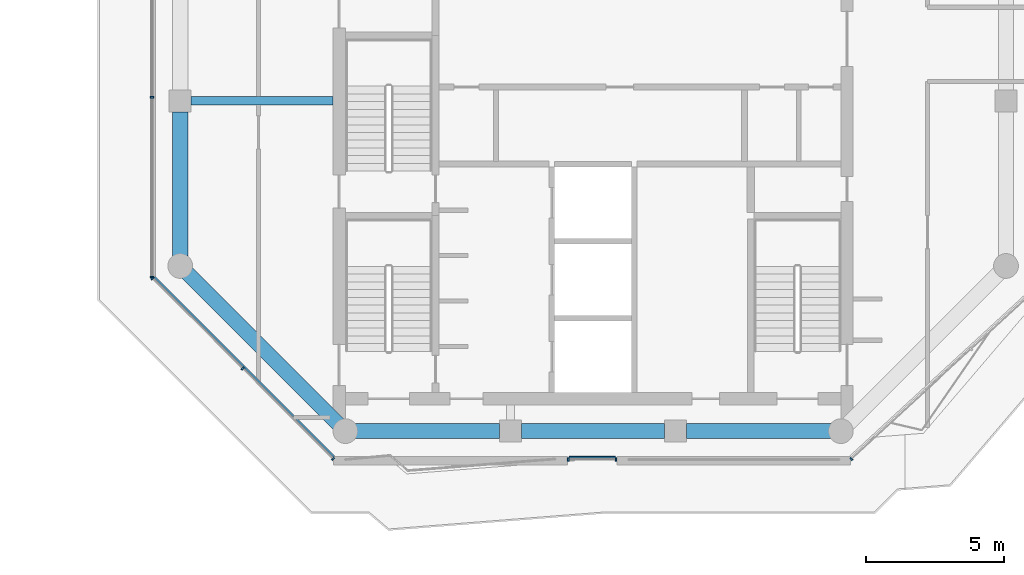
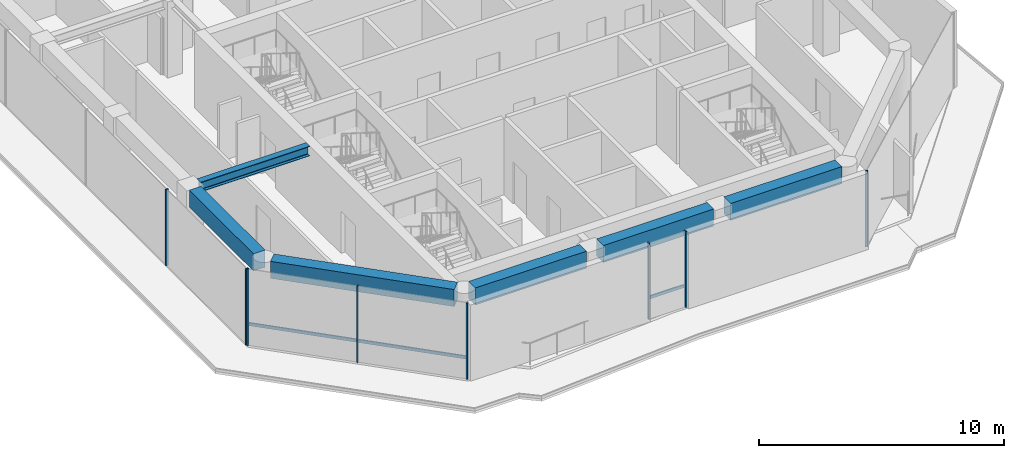
# One storey, part 2 of 23: 10 members, 6 beams, 4 elements without a shape of their own.
"""IFC4 building model written with IfcOpenShell, lengths in metres."""

from ifc_helpers import new_model, si_unit, direction, frame, origin, origin_2d, place, context, subcontext, project, spatial, rectangle, i_section, extrude, material, layer, layer_set, material_profile, profile_set, type_object, element, aggregate, save


model = new_model("IFC4")

# Units and contexts
model_context = context("Model", 3, precision=1e-05, world=origin(), true_north=direction((0.0, 1.0)))
body_context = subcontext(model_context, "Body", "Model", "MODEL_VIEW")
ifc_project = project(units=[si_unit("LENGTHUNIT", "METRE"), si_unit("AREAUNIT", "SQUARE_METRE"), si_unit("VOLUMEUNIT", "CUBIC_METRE"), si_unit("PLANEANGLEUNIT", "RADIAN"), si_unit("MASSUNIT", "GRAM", prefix="KILO")], contexts=[model_context])

# Site, building, storey
site_placement = place(None, origin())
site = spatial("IfcSite", under=ifc_project, at=site_placement, CompositionType="ELEMENT")
building_placement = place(site_placement, origin())
building = spatial("IfcBuilding", under=site, at=building_placement, Name="Welwitschia Terrace Campus", CompositionType="ELEMENT")
storey_placement = place(building_placement, frame((0.0, 0.0, 209.60009765625)))
storey = spatial("IfcBuildingStorey", under=building, at=storey_placement, Name="L46", CompositionType="ELEMENT", Elevation=209.60009765625)

# Curtain wall, members
ifc_material_1 = material(Name="Bronze anodised aluminium", Category="aluminium")
ifc_layer = layer(ifc_material_1, 0.1201171875)
ifc_layer_set = layer_set([ifc_layer], Name="Bronze anodised aluminium")
curtain_wall_type = type_object("IfcCurtainWallType", Name="Curtain wall CW2 tower 6000", PredefinedType="NOTDEFINED", material=ifc_layer_set)
curtain_wall_1_placement = place(storey_placement, origin())
curtain_wall_1 = element("IfcCurtainWall", 1, at=curtain_wall_1_placement, inside=storey, type_object=curtain_wall_type, Name="CW L46.0.0", PredefinedType="NOTDEFINED")
ifc_material_2 = material(Name="Bronze anodised aluminium", Category="aluminium")
ifc_material_profile_1 = material_profile(ifc_material_2, rectangle(XDim=0.1201171875, YDim=0.06005859375, at=origin_2d()))
ifc_profile_set_1 = profile_set([ifc_material_profile_1], Name="Bronze anodised aluminium")
member_type_1 = type_object("IfcMemberType", Name="Mullion 60x120", PredefinedType="MULLION", material=ifc_profile_set_1)
member_1_placement = place(storey_placement, frame((-1.030029296875, 16.129638671875, 0.0), z_axis=(0.0, 0.0, 1.0), x_axis=(1.0, 0.0, 0.0)))
member_1 = element("IfcMember", 2, at=member_1_placement, type_object=member_type_1, Name="Mullion L46.0.0.3", PredefinedType="MULLION", context=body_context, shape_type="SweptSolid", body=[
    extrude(rectangle(XDim=0.1201171875, YDim=0.06005859375, at=origin_2d()), origin(), (0.0, 0.0, 1.0), 3.7998046875),
])
member_2_placement = place(storey_placement, frame((-1.030029296875, 9.603271484375, 0.0), z_axis=(0.0, 0.0, 1.0), x_axis=(1.0, 0.0, 0.0)))
member_2 = element("IfcMember", 3, at=member_2_placement, type_object=member_type_1, Name="Mullion L46.0.0.4", PredefinedType="MULLION", context=body_context, shape_type="SweptSolid", body=[
    extrude(rectangle(XDim=0.1201171875, YDim=0.06005859375, at=origin_2d()), origin(), (0.0, 0.0, 1.0), 3.7998046875),
])
aggregate(curtain_wall_1, [member_1, member_2])

curtain_wall_2_placement = place(storey_placement, origin())
curtain_wall_2 = element("IfcCurtainWall", 4, at=curtain_wall_2_placement, inside=storey, type_object=curtain_wall_type, Name="CW L46.1.0", PredefinedType="NOTDEFINED")
member_3_placement = place(storey_placement, frame((-1.0087890625, 9.55224609375, 0.0), z_axis=(0.0, 0.0, 1.0), x_axis=(0.707106781187, 0.707106781187, 0.0)))
member_3 = element("IfcMember", 5, at=member_3_placement, type_object=member_type_1, Name="Mullion L46.1.0.0", PredefinedType="MULLION", context=body_context, shape_type="SweptSolid", body=[
    extrude(rectangle(XDim=0.1201171875, YDim=0.06005859375, at=origin_2d()), origin(), (0.0, 0.0, 1.0), 3.7998046875),
])
member_4_placement = place(storey_placement, frame((2.271728515625, 6.271728515625, 0.0), z_axis=(0.0, 0.0, 1.0), x_axis=(0.707106781187, 0.707106781187, 0.0)))
member_4 = element("IfcMember", 6, at=member_4_placement, type_object=member_type_1, Name="Mullion L46.1.0.1", PredefinedType="MULLION", context=body_context, shape_type="SweptSolid", body=[
    extrude(rectangle(XDim=0.1201171875, YDim=0.06005859375, at=origin_2d()), origin(), (0.0, 0.0, 1.0), 3.7998046875),
])
member_5_placement = place(storey_placement, frame((5.55224609375, 2.9912109375, 0.0), z_axis=(0.0, 0.0, 1.0), x_axis=(0.707106781187, 0.707106781187, 0.0)))
member_5 = element("IfcMember", 7, at=member_5_placement, type_object=member_type_1, Name="Mullion L46.1.0.2", PredefinedType="MULLION", context=body_context, shape_type="SweptSolid", body=[
    extrude(rectangle(XDim=0.1201171875, YDim=0.06005859375, at=origin_2d()), origin(), (0.0, 0.0, 1.0), 3.7998046875),
])

curtain_wall_3_placement = place(storey_placement, origin())
curtain_wall_3 = element("IfcCurtainWall", 8, at=curtain_wall_3_placement, inside=storey, type_object=curtain_wall_type, Name="CW L46.2.S0", PredefinedType="NOTDEFINED")
member_6_placement = place(storey_placement, frame((14.095947265625, 2.969970703125, 0.0), z_axis=(0.0, 0.0, 1.0), x_axis=(0.0, 1.0, 0.0)))
member_6 = element("IfcMember", 9, at=member_6_placement, type_object=member_type_1, Name="Mullion L46.2.S0.0", PredefinedType="MULLION", context=body_context, shape_type="SweptSolid", body=[
    extrude(rectangle(XDim=0.1201171875, YDim=0.06005859375, at=origin_2d()), origin(), (0.0, 0.0, 1.0), 3.7998046875),
])
member_7_placement = place(storey_placement, frame((15.8359375, 2.969970703125, 0.0), z_axis=(0.0, 0.0, 1.0), x_axis=(0.0, 1.0, 0.0)))
member_7 = element("IfcMember", 10, at=member_7_placement, type_object=member_type_1, Name="Mullion L46.2.S0.1", PredefinedType="MULLION", context=body_context, shape_type="SweptSolid", body=[
    extrude(rectangle(XDim=0.1201171875, YDim=0.06005859375, at=origin_2d()), origin(), (0.0, 0.0, 1.0), 3.7998046875),
])

# Curtain wall, member
curtain_wall_4_placement = place(storey_placement, origin())
curtain_wall_4 = element("IfcCurtainWall", 11, at=curtain_wall_4_placement, inside=storey, type_object=curtain_wall_type, Name="CW L46.3.0", PredefinedType="NOTDEFINED")
member_8_placement = place(storey_placement, frame((24.380859375, 2.990234375, 0.0), z_axis=(0.0, 0.0, 1.0), x_axis=(-0.677034390902, 0.735951379872, 0.0)))
member_8 = element("IfcMember", 12, at=member_8_placement, type_object=member_type_1, Name="Mullion L46.3.0.0", PredefinedType="MULLION", context=body_context, shape_type="SweptSolid", body=[
    extrude(rectangle(XDim=0.1201171875, YDim=0.06005859375, at=origin_2d()), origin(), (0.0, 0.0, 1.0), 3.7998046875),
])
aggregate(curtain_wall_4, [member_8])

# Beams
ifc_material_3 = material(Name="Steel S355", Category="steel")
ifc_material_profile_2 = material_profile(ifc_material_3, i_section(OverallWidth=0.300048828125, OverallDepth=0.489990234375, WebThickness=0.011962890625, FlangeThickness=0.02294921875, FilletRadius=0.027099609375, at=origin_2d()))
ifc_profile_set_2 = profile_set([ifc_material_profile_2], Name="Steel S355")
beam_type_1 = type_object("IfcBeamType", Name="Primary beam HE 500 A", PredefinedType="BEAM", material=ifc_profile_set_2)
beam_1_placement = place(storey_placement, frame((0.400390625, 16.0, 3.554931640625), z_axis=(1.0, 0.0, 0.0), x_axis=(0.0, 1.0, 0.0)))
element("IfcBeam", 13, at=beam_1_placement, inside=storey, type_object=beam_type_1, Name="Primary beam PB5", PredefinedType="BEAM", context=body_context, shape_type="SweptSolid", body=[
    extrude(i_section(OverallWidth=0.300048828125, OverallDepth=0.489990234375, WebThickness=0.011962890625, FlangeThickness=0.02294921875, FilletRadius=0.027099609375, at=origin_2d()), origin(), (0.0, 0.0, 1.0), 5.149658203125),
])
ifc_material_4 = material(Name="Concrete C50/60", Category="concrete")
ifc_material_profile_3 = material_profile(ifc_material_4, rectangle(XDim=0.550048828125, YDim=0.85009765625, at=origin_2d()))
ifc_profile_set_3 = profile_set([ifc_material_profile_3], Name="Concrete C50/60")
beam_type_2 = type_object("IfcBeamType", Name="Ring spandrel 550x850", PredefinedType="SPANDREL", material=ifc_profile_set_3)
beam_2_placement = place(storey_placement, frame((0.25244140625, 9.74755859375, 3.375), z_axis=(0.707106781187, -0.707106781187, 0.0), x_axis=(0.707106781187, 0.707106781187, 0.0)))
element("IfcBeam", 14, at=beam_2_placement, inside=storey, type_object=beam_type_2, Name="Spandrel SP3", PredefinedType="SPANDREL", context=body_context, shape_type="SweptSolid", body=[
    extrude(rectangle(XDim=0.550048828125, YDim=0.85009765625, at=origin_2d()), origin(), (0.0, 0.0, 1.0), 7.771240234375),
])
beam_3_placement = place(storey_placement, frame((6.35693359375, 4.0, 3.375), z_axis=(1.0, 0.0, 0.0), x_axis=(0.0, 1.0, 0.0)))
element("IfcBeam", 15, at=beam_3_placement, inside=storey, type_object=beam_type_2, Name="Spandrel SP3", PredefinedType="SPANDREL", context=body_context, shape_type="SweptSolid", body=[
    extrude(rectangle(XDim=0.550048828125, YDim=0.85009765625, at=origin_2d()), origin(), (0.0, 0.0, 1.0), 5.24267578125),
])
beam_4_placement = place(storey_placement, frame((12.400390625, 4.0, 3.375), z_axis=(1.0, 0.0, 0.0), x_axis=(0.0, 1.0, 0.0)))
element("IfcBeam", 16, at=beam_4_placement, inside=storey, type_object=beam_type_2, Name="Spandrel SP3", PredefinedType="SPANDREL", context=body_context, shape_type="SweptSolid", body=[
    extrude(rectangle(XDim=0.550048828125, YDim=0.85009765625, at=origin_2d()), origin(), (0.0, 0.0, 1.0), 5.19921875),
])
for number, where, z_axis, x_axis, name in (
    (17, (18.400390625, 4.0, 3.375), (1.0, 0.0, 0.0), (0.0, 1.0, 0.0), "Spandrel SP3"),
    (18, (0.0, 15.599609375, 3.375), (0.0, -1.0, 0.0), (1.0, 0.0, 0.0), "Spandrel SP3"),
):
    element("IfcBeam", number, at=place(storey_placement, frame(where, z_axis=z_axis, x_axis=x_axis)), inside=storey, type_object=beam_type_2, Name=name, PredefinedType="SPANDREL", context=body_context, shape_type="SweptSolid", body=[
        extrude(rectangle(XDim=0.550048828125, YDim=0.85009765625, at=origin_2d()), origin(), (0.0, 0.0, 1.0), 5.24267578125),
    ])

# Member
ifc_material_5 = material(Name="Bronze anodised aluminium", Category="aluminium")
ifc_material_profile_4 = material_profile(ifc_material_5, rectangle(XDim=0.06005859375, YDim=0.14990234375, at=origin_2d()))
ifc_profile_set_4 = profile_set([ifc_material_profile_4], Name="Bronze anodised aluminium")
member_type_2 = type_object("IfcMemberType", Name="Transom 60x150", PredefinedType="USERDEFINED", material=ifc_profile_set_4)
member_9_placement = place(storey_placement, frame((-0.923828125, 9.594482421875, 1.0), z_axis=(0.707106781187, -0.707106781187, 0.0), x_axis=(0.707106781187, 0.707106781187, 0.0)))
member_9 = element("IfcMember", 19, at=member_9_placement, type_object=member_type_2, Name="Transom L46.1.0", ObjectType="TRANSOM", PredefinedType="USERDEFINED", context=body_context, shape_type="SweptSolid", body=[
    extrude(rectangle(XDim=0.06005859375, YDim=0.14990234375, at=origin_2d()), origin(), (0.0, 0.0, 1.0), 9.21826171875),
])

aggregate(curtain_wall_2, [member_3, member_4, member_5, member_9])

member_10_placement = place(storey_placement, frame((14.1259765625, 3.06005859375, 1.0), z_axis=(1.0, 0.0, 0.0), x_axis=(0.0, 1.0, 0.0)))
member_10 = element("IfcMember", 20, at=member_10_placement, type_object=member_type_2, Name="Transom L46.2.S0", ObjectType="TRANSOM", PredefinedType="USERDEFINED", context=body_context, shape_type="SweptSolid", body=[
    extrude(rectangle(XDim=0.06005859375, YDim=0.14990234375, at=origin_2d()), origin(), (0.0, 0.0, 1.0), 1.679931640625),
])

aggregate(curtain_wall_3, [member_6, member_7, member_10])

save(model, "model.ifc")
